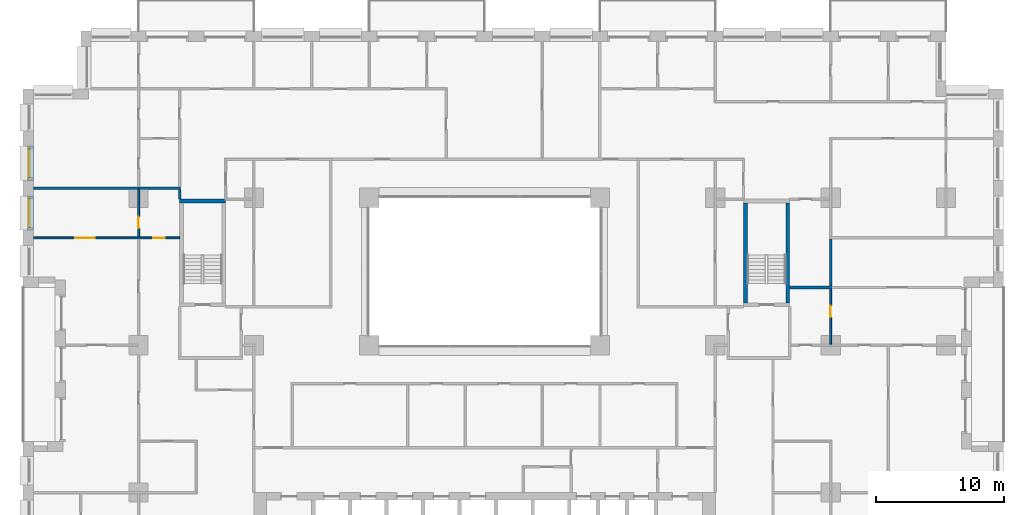
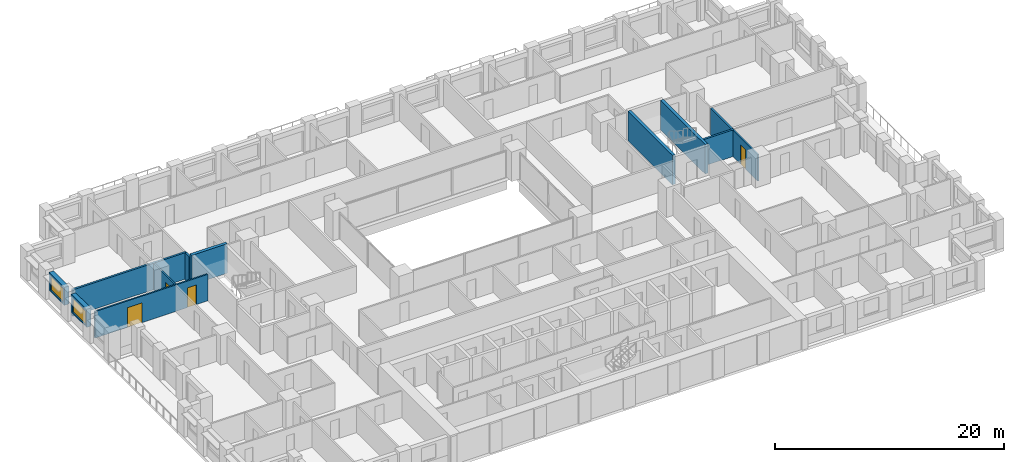
# One storey, part 13 of 21: 12 walls, 4 doors, 2 windows, 6 openings.
"""IFC4 building model written with IfcOpenShell, lengths in metres."""

from ifc_helpers import new_model, si_unit, direction, frame, frame_2d, origin, place, context, subcontext, project, spatial, rectangle, extrude, material, layer, layer_set, type_object, element, fill, save


model = new_model("IFC4")

# Units and contexts
model_context = context("Model", 3, precision=1e-05, world=origin(), true_north=direction((0.0, 1.0)))
body_context = subcontext(model_context, "Body", "Model", "MODEL_VIEW")
ifc_project = project(units=[si_unit("LENGTHUNIT", "METRE"), si_unit("AREAUNIT", "SQUARE_METRE"), si_unit("VOLUMEUNIT", "CUBIC_METRE"), si_unit("PLANEANGLEUNIT", "RADIAN"), si_unit("MASSUNIT", "GRAM", prefix="KILO")], contexts=[model_context])

# Site, building, storey
site_placement = place(None, origin())
site = spatial("IfcSite", under=ifc_project, at=site_placement, CompositionType="ELEMENT")
building_placement = place(site_placement, origin())
building = spatial("IfcBuilding", under=site, at=building_placement, Name="Brigalow Station Residences", CompositionType="ELEMENT")
storey_placement = place(building_placement, frame((0.0, 0.0, 47.85009765625)))
storey = spatial("IfcBuildingStorey", under=building, at=storey_placement, Name="L13", CompositionType="ELEMENT", Elevation=47.85009765625)

# Wall, opening, window
ifc_material_1 = material(Name="Clay brick masonry", Category="masonry")
ifc_layer_1 = layer(ifc_material_1, 0.449951171875)
ifc_layer_set_1 = layer_set([ifc_layer_1], Name="BRICK INFILL WALL 450")
wall_type_1 = type_object("IfcWallType", Name="BRICK INFILL WALL 450", PredefinedType="SOLIDWALL", material=ifc_layer_set_1)
wall_1_placement = place(storey_placement, frame((0.574951171875, 39.52490234375, 0.89990234375), z_axis=(0.0, 0.0, 1.0), x_axis=(0.0, -1.0, 0.0)))
wall_1 = element("IfcWall", 1, at=wall_1_placement, inside=storey, type_object=wall_type_1, Name="L13/ewall/W-L13-43", PredefinedType="SOLIDWALL", context=body_context, shape_type="SweptSolid", body=[
    extrude(rectangle(XDim=2.6748046875, YDim=0.449951171875, at=frame_2d((1.33740234375, 0.0))), origin(), (0.0, 0.0, 1.0), 1.929931640625),
])
opening_1_placement = place(wall_1_placement, frame((0.21240234375, 0.0, 0.14990234375)))
opening_1 = element("IfcOpeningElement", 2, at=opening_1_placement, cuts=wall_1, Name="Opening WT-6", PredefinedType="OPENING", context=body_context, shape_type="SweptSolid", body=[
    extrude(rectangle(XDim=2.25, YDim=1.5, at=frame_2d((1.125, 0.75))), frame((0.0, 0.23486328125, 0.0), z_axis=(0.0, -1.0, 0.0), x_axis=(1.0, 0.0, 0.0)), (0.0, 0.0, 1.0), 0.469970703125),
])
ifc_material_2 = material(Name="Anodised aluminium frame with double glazing", Category="aluminium")
window_type = type_object("IfcWindowType", Name="WINDOW 2250x1500", PartitioningType="SINGLE_PANEL", PredefinedType="WINDOW", material=ifc_material_2)
window_1_placement = place(opening_1_placement, origin())
window_1 = element("IfcWindow", 3, at=window_1_placement, inside=storey, type_object=window_type, Name="L13/window/W-L13-43", OverallHeight=1.5, OverallWidth=2.25, PartitioningType="SINGLE_PANEL", PredefinedType="WINDOW", context=body_context, shape_type="SweptSolid", body=[
    extrude(rectangle(XDim=2.25, YDim=1.5, at=frame_2d((1.125, 0.75))), frame((0.0, -0.06494140625, 0.0), z_axis=(0.0, -1.0, 0.0), x_axis=(1.0, 0.0, 0.0)), (0.0, 0.0, 1.0), 0.06005859375),
])
fill(opening_1, window_1)

wall_2_placement = place(storey_placement, frame((0.574951171875, 35.64990234375, 0.89990234375), z_axis=(0.0, 0.0, 1.0), x_axis=(0.0, -1.0, 0.0)))
wall_2 = element("IfcWall", 4, at=wall_2_placement, inside=storey, type_object=wall_type_1, Name="L13/ewall/W-L13-44", PredefinedType="SOLIDWALL", context=body_context, shape_type="SweptSolid", body=[
    extrude(rectangle(XDim=2.6748046875, YDim=0.449951171875, at=frame_2d((1.33740234375, 0.0))), origin(), (0.0, 0.0, 1.0), 1.929931640625),
])
opening_2_placement = place(wall_2_placement, frame((0.21240234375, 0.0, 0.14990234375)))
opening_2 = element("IfcOpeningElement", 5, at=opening_2_placement, cuts=wall_2, Name="Opening WT-6", PredefinedType="OPENING", context=body_context, shape_type="SweptSolid", body=[
    extrude(rectangle(XDim=2.25, YDim=1.5, at=frame_2d((1.125, 0.75))), frame((0.0, 0.23486328125, 0.0), z_axis=(0.0, -1.0, 0.0), x_axis=(1.0, 0.0, 0.0)), (0.0, 0.0, 1.0), 0.469970703125),
])
window_2_placement = place(opening_2_placement, origin())
window_2 = element("IfcWindow", 6, at=window_2_placement, inside=storey, type_object=window_type, Name="L13/window/W-L13-44", OverallHeight=1.5, OverallWidth=2.25, PartitioningType="SINGLE_PANEL", PredefinedType="WINDOW", context=body_context, shape_type="SweptSolid", body=[
    extrude(rectangle(XDim=2.25, YDim=1.5, at=frame_2d((1.125, 0.75))), frame((0.0, -0.06494140625, 0.0), z_axis=(0.0, -1.0, 0.0), x_axis=(1.0, 0.0, 0.0)), (0.0, 0.0, 1.0), 0.06005859375),
])
fill(opening_2, window_2)

# Walls
ifc_material_3 = material(Name="Concrete C80", Category="concrete")
ifc_layer_2 = layer(ifc_material_3, 0.300048828125)
ifc_layer_set_2 = layer_set([ifc_layer_2], Name="CORE SHEAR WALL 300 C80")
wall_type_2 = type_object("IfcWallType", Name="CORE SHEAR WALL 300 C80", PredefinedType="SHEAR", material=ifc_layer_set_2)
wall_3_placement = place(storey_placement, frame((12.199951171875, 35.25, 0.0), z_axis=(0.0, 0.0, 1.0), x_axis=(1.0, 0.0, 0.0)))
element("IfcWall", 7, at=wall_3_placement, inside=storey, type_object=wall_type_2, Name="CORE WALL ST-S1-N L13", PredefinedType="SHEAR", context=body_context, shape_type="SweptSolid", body=[
    extrude(rectangle(XDim=3.60009765625, YDim=0.300048828125, at=frame_2d((1.800048828125, 0.0))), origin(), (0.0, 0.0, 1.0), 3.14990234375),
])
for number, where, z_axis, x_axis, name in (
    (8, (56.35009765625, 27.300048828125, 0.0), (0.0, 0.0, 1.0), (0.0, 1.0, 0.0), "CORE WALL ST-S3-W L13"),
    (9, (59.64990234375, 27.300048828125, 0.0), (0.0, 0.0, 1.0), (0.0, 1.0, 0.0), "CORE WALL ST-S3-E L13"),
):
    element("IfcWall", number, at=place(storey_placement, frame(where, z_axis=z_axis, x_axis=x_axis)), inside=storey, type_object=wall_type_2, Name=name, PredefinedType="SHEAR", context=body_context, shape_type="SweptSolid", body=[
        extrude(rectangle(XDim=7.800048828125, YDim=0.300048828125, at=frame_2d((3.89990234375, 0.0))), origin(), (0.0, 0.0, 1.0), 3.14990234375),
    ])

# Wall, openings, doors
ifc_material_4 = material(Name="Plasterboard on steel stud partition", Category="steel")
ifc_layer_3 = layer(ifc_material_4, 0.14990234375)
ifc_layer_set_3 = layer_set([ifc_layer_3], Name="FLAT PARTITION 150")
wall_type_3 = type_object("IfcWallType", Name="FLAT PARTITION 150", PredefinedType="PARTITIONING", material=ifc_layer_set_3)
wall_4_placement = place(storey_placement, frame((0.800048828125, 32.375, 0.0), z_axis=(0.0, 0.0, 1.0), x_axis=(1.0, 0.0, 0.0)))
wall_4 = element("IfcWall", 10, at=wall_4_placement, inside=storey, type_object=wall_type_3, Name="PW-1D18", PredefinedType="PARTITIONING", context=body_context, shape_type="SweptSolid", body=[
    extrude(rectangle(XDim=11.39990234375, YDim=0.14990234375, at=frame_2d((5.699951171875, 0.0))), origin(), (0.0, 0.0, 1.0), 2.829833984375),
])
opening_3_placement = place(wall_4_placement, frame((3.27490234375, 0.0, 0.0)))
opening_3 = element("IfcOpeningElement", 11, at=opening_3_placement, cuts=wall_4, Name="Opening D-1D06", PredefinedType="OPENING", context=body_context, shape_type="SweptSolid", body=[
    extrude(rectangle(XDim=1.5, YDim=2.10009765625, at=frame_2d((0.75, 1.050048828125))), frame((0.0, 0.0849609375, 0.0), z_axis=(0.0, -1.0, 0.0), x_axis=(1.0, 0.0, 0.0)), (0.0, 0.0, 1.0), 0.169921875),
])
opening_4_placement = place(wall_4_placement, frame((9.35009765625, 0.0, 0.0)))
opening_4 = element("IfcOpeningElement", 12, at=opening_4_placement, cuts=wall_4, Name="Opening D-1D12", PredefinedType="OPENING", context=body_context, shape_type="SweptSolid", body=[
    extrude(rectangle(XDim=0.89990234375, YDim=2.10009765625, at=frame_2d((0.449951171875, 1.050048828125))), frame((0.0, 0.0849609375, 0.0), z_axis=(0.0, -1.0, 0.0), x_axis=(1.0, 0.0, 0.0)), (0.0, 0.0, 1.0), 0.169921875),
])
ifc_material_5 = material(Name="Solid-core timber door leaf", Category="wood")
door_type_1 = type_object("IfcDoorType", Name="INTERNAL DOOR 900 x 2100", OperationType="SINGLE_SWING_LEFT", PredefinedType="DOOR", material=ifc_material_5)
door_1_placement = place(opening_4_placement, origin())
door_1 = element("IfcDoor", 13, at=door_1_placement, inside=storey, type_object=door_type_1, Name="D-1D12", OperationType="SINGLE_SWING_LEFT", OverallHeight=2.10009765625, OverallWidth=0.89990234375, PredefinedType="DOOR", context=body_context, shape_type="SweptSolid", body=[
    extrude(rectangle(XDim=0.89990234375, YDim=2.10009765625, at=frame_2d((0.449951171875, 1.050048828125))), frame((0.0, 0.02490234375, 0.0), z_axis=(0.0, -1.0, 0.0), x_axis=(1.0, 0.0, 0.0)), (0.0, 0.0, 1.0), 0.050048828125),
])
fill(opening_4, door_1)
ifc_material_6 = material(Name="Solid-core timber door leaf", Category="wood")
door_type_2 = type_object("IfcDoorType", Name="INTERNAL DOUBLE DOOR 1500 x 2100", OperationType="DOUBLE_DOOR_SINGLE_SWING", PredefinedType="DOOR", material=ifc_material_6)
door_2_placement = place(opening_3_placement, origin())
door_2 = element("IfcDoor", 14, at=door_2_placement, inside=storey, type_object=door_type_2, Name="D-1D06", OperationType="DOUBLE_DOOR_SINGLE_SWING", OverallHeight=2.10009765625, OverallWidth=1.5, PredefinedType="DOOR", context=body_context, shape_type="SweptSolid", body=[
    extrude(rectangle(XDim=1.5, YDim=2.10009765625, at=frame_2d((0.75, 1.050048828125))), frame((0.0, 0.02490234375, 0.0), z_axis=(0.0, -1.0, 0.0), x_axis=(1.0, 0.0, 0.0)), (0.0, 0.0, 1.0), 0.050048828125),
])
fill(opening_3, door_2)

# Wall, opening, door
wall_5_placement = place(storey_placement, frame((9.0, 32.449951171875, 0.0), z_axis=(0.0, 0.0, 1.0), x_axis=(0.0, 1.0, 0.0)))
wall_5 = element("IfcWall", 15, at=wall_5_placement, inside=storey, type_object=wall_type_3, Name="PW-1D49", PredefinedType="PARTITIONING", context=body_context, shape_type="SweptSolid", body=[
    extrude(rectangle(XDim=3.699951171875, YDim=0.14990234375, at=frame_2d((1.85009765625, 0.0))), origin(), (0.0, 0.0, 1.0), 2.829833984375),
])
opening_5_placement = place(wall_5_placement, frame((0.662109375, 0.0, 0.0)))
opening_5 = element("IfcOpeningElement", 16, at=opening_5_placement, cuts=wall_5, Name="Opening D-1D11", PredefinedType="OPENING", context=body_context, shape_type="SweptSolid", body=[
    extrude(rectangle(XDim=0.89990234375, YDim=2.10009765625, at=frame_2d((0.449951171875, 1.050048828125))), frame((0.0, 0.0849609375, 0.0), z_axis=(0.0, -1.0, 0.0), x_axis=(1.0, 0.0, 0.0)), (0.0, 0.0, 1.0), 0.169921875),
])
door_3_placement = place(opening_5_placement, frame((0.89990234375, 0.0, 0.0), z_axis=(0.0, 0.0, 1.0), x_axis=(-1.0, 0.0, 0.0)))
door_3 = element("IfcDoor", 17, at=door_3_placement, inside=storey, type_object=door_type_1, Name="D-1D11", OperationType="SINGLE_SWING_RIGHT", OverallHeight=2.10009765625, OverallWidth=0.89990234375, PredefinedType="DOOR", context=body_context, shape_type="SweptSolid", body=[
    extrude(rectangle(XDim=0.89990234375, YDim=2.10009765625, at=frame_2d((0.449951171875, 1.050048828125))), frame((0.0, 0.02490234375, 0.0), z_axis=(0.0, -1.0, 0.0), x_axis=(1.0, 0.0, 0.0)), (0.0, 0.0, 1.0), 0.050048828125),
])
fill(opening_5, door_3)

wall_6_placement = place(storey_placement, frame((63.0, 24.074951171875, 0.0), z_axis=(0.0, 0.0, 1.0), x_axis=(0.0, 1.0, 0.0)))
wall_6 = element("IfcWall", 18, at=wall_6_placement, inside=storey, type_object=wall_type_3, Name="PW-1D70", PredefinedType="PARTITIONING", context=body_context, shape_type="SweptSolid", body=[
    extrude(rectangle(XDim=4.35009765625, YDim=0.14990234375, at=frame_2d((2.175048828125, 0.0))), origin(), (0.0, 0.0, 1.0), 2.829833984375),
])
opening_6_placement = place(wall_6_placement, frame((2.10009765625, 0.0, 0.0)))
opening_6 = element("IfcOpeningElement", 19, at=opening_6_placement, cuts=wall_6, Name="Opening D-1D56", PredefinedType="OPENING", context=body_context, shape_type="SweptSolid", body=[
    extrude(rectangle(XDim=0.89990234375, YDim=2.10009765625, at=frame_2d((0.449951171875, 1.050048828125))), frame((0.0, 0.0849609375, 0.0), z_axis=(0.0, -1.0, 0.0), x_axis=(1.0, 0.0, 0.0)), (0.0, 0.0, 1.0), 0.169921875),
])
door_4_placement = place(opening_6_placement, origin())
door_4 = element("IfcDoor", 20, at=door_4_placement, inside=storey, type_object=door_type_1, Name="D-1D56", OperationType="SINGLE_SWING_RIGHT", OverallHeight=2.10009765625, OverallWidth=0.89990234375, PredefinedType="DOOR", context=body_context, shape_type="SweptSolid", body=[
    extrude(rectangle(XDim=0.89990234375, YDim=2.10009765625, at=frame_2d((0.449951171875, 1.050048828125))), frame((0.0, 0.02490234375, 0.0), z_axis=(0.0, -1.0, 0.0), x_axis=(1.0, 0.0, 0.0)), (0.0, 0.0, 1.0), 0.050048828125),
])
fill(opening_6, door_4)

# Walls
ifc_material_7 = material(Name="Plasterboard on steel stud partition", Category="steel")
ifc_layer_4 = layer(ifc_material_7, 0.199951171875)
ifc_layer_set_4 = layer_set([ifc_layer_4], Name="PARTY AND CORRIDOR WALL 200")
wall_type_4 = type_object("IfcWallType", Name="PARTY AND CORRIDOR WALL 200", PredefinedType="PARTITIONING", material=ifc_layer_set_4)
wall_7_placement = place(storey_placement, frame((0.800048828125, 36.25, 0.0), z_axis=(0.0, 0.0, 1.0), x_axis=(1.0, 0.0, 0.0)))
element("IfcWall", 21, at=wall_7_placement, inside=storey, type_object=wall_type_4, Name="PW-1D20", PredefinedType="PARTITIONING", context=body_context, shape_type="SweptSolid", body=[
    extrude(rectangle(XDim=11.474853515625, YDim=0.199951171875, at=frame_2d((5.7373046875, 0.0))), origin(), (0.0, 0.0, 1.0), 2.829833984375),
])
wall_8_placement = place(storey_placement, frame((59.800048828125, 28.5, 0.0), z_axis=(0.0, 0.0, 1.0), x_axis=(1.0, 0.0, 0.0)))
element("IfcWall", 22, at=wall_8_placement, inside=storey, type_object=wall_type_4, Name="PW-1D32", PredefinedType="PARTITIONING", context=body_context, shape_type="SweptSolid", body=[
    extrude(rectangle(XDim=3.27490234375, YDim=0.199951171875, at=frame_2d((1.637451171875, 0.0))), origin(), (0.0, 0.0, 1.0), 2.829833984375),
])
wall_9_placement = place(storey_placement, frame((12.199951171875, 35.39990234375, 0.0), z_axis=(0.0, 0.0, 1.0), x_axis=(0.0, 1.0, 0.0)))
element("IfcWall", 23, at=wall_9_placement, inside=storey, type_object=wall_type_4, Name="PW-1D57", PredefinedType="PARTITIONING", context=body_context, shape_type="SweptSolid", body=[
    extrude(rectangle(XDim=0.75, YDim=0.199951171875, at=frame_2d((0.375, 0.0))), origin(), (0.0, 0.0, 1.0), 2.829833984375),
])
wall_10_placement = place(storey_placement, frame((63.0, 28.574951171875, 0.0), z_axis=(0.0, 0.0, 1.0), x_axis=(0.0, 1.0, 0.0)))
element("IfcWall", 24, at=wall_10_placement, inside=storey, type_object=wall_type_4, Name="PW-1D73", PredefinedType="PARTITIONING", context=body_context, shape_type="SweptSolid", body=[
    extrude(rectangle(XDim=3.699951171875, YDim=0.199951171875, at=frame_2d((1.85009765625, 0.0))), origin(), (0.0, 0.0, 1.0), 2.829833984375),
])

save(model, "model.ifc")
